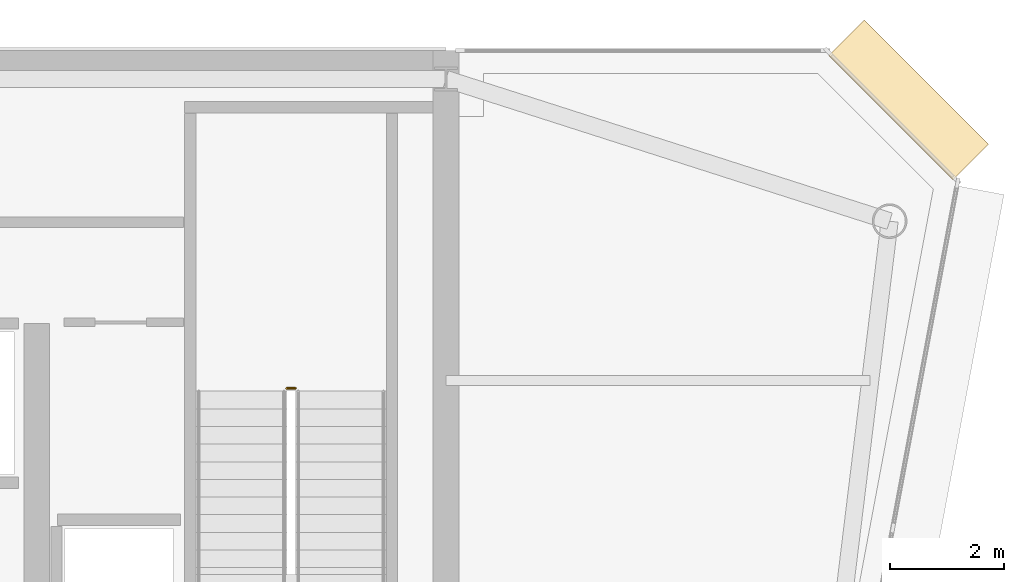
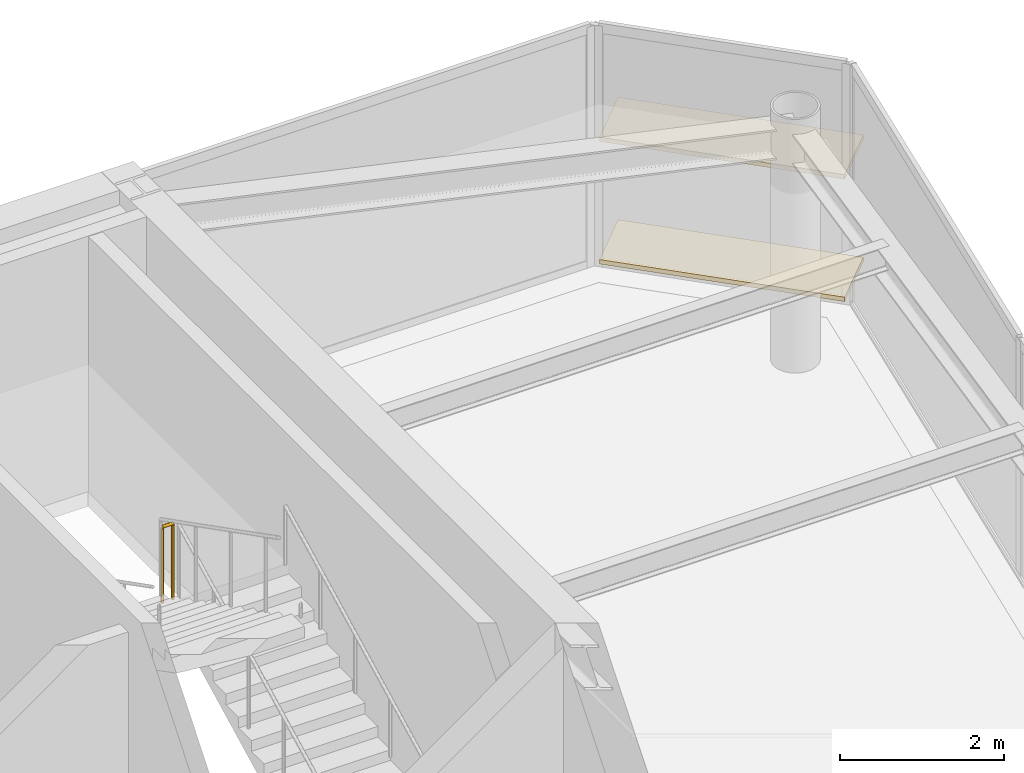
# One storey, part 19 of 19: 2 coverings, 1 railing.
"""IFC4 building model written with IfcOpenShell, lengths in metres."""

from ifc_helpers import new_model, si_unit, direction, frame, origin, origin_2d, place, context, subcontext, project, spatial, rectangle, circle, extrude, source, transform, mapped, material, layer, layer_set, type_object, element, save


model = new_model("IFC4")

# Units and contexts
model_context = context("Model", 3, precision=1e-05, world=origin(), true_north=direction((0.0, 1.0)))
body_context = subcontext(model_context, "Body", "Model", "MODEL_VIEW")
ifc_project = project(units=[si_unit("LENGTHUNIT", "METRE"), si_unit("AREAUNIT", "SQUARE_METRE"), si_unit("VOLUMEUNIT", "CUBIC_METRE"), si_unit("PLANEANGLEUNIT", "RADIAN"), si_unit("MASSUNIT", "GRAM", prefix="KILO")], contexts=[model_context])

# Site, building, storey
site_placement = place(None, origin())
site = spatial("IfcSite", under=ifc_project, at=site_placement, CompositionType="ELEMENT")
building_placement = place(site_placement, origin())
building = spatial("IfcBuilding", under=site, at=building_placement, Name="Vaeldorn Concourse Tower", CompositionType="ELEMENT")
storey_placement = place(building_placement, frame((0.0, 0.0, 287.800048828125)))
storey = spatial("IfcBuildingStorey", under=building, at=storey_placement, Name="L74", CompositionType="ELEMENT", Elevation=287.800048828125)

# Railing
ifc_material = material(Name="Anodised Bronze Aluminium", Category="aluminium")
railing_type = type_object("IfcRailingType", Name="RL-STAIR-GUARD", PredefinedType="GUARDRAIL", material=ifc_material)
railing_placement = place(storey_placement, frame((51.35009765625, 45.06005859375, 1.89990234375)))
element("IfcRailing", 1, at=railing_placement, inside=storey, type_object=railing_type, Name="L74 ST-2 stair guard 2", PredefinedType="GUARDRAIL", context=body_context, shape_type="SweptSolid", body=[
    extrude(circle(Radius=0.02392578125, at=origin_2d()), frame((0.0, 0.0, 1.1259765625), z_axis=(-1.0, 0.0, 0.0), x_axis=(0.0, -1.0, 0.0)), (0.0, 0.0, 1.0), 0.150146484375),
    extrude(circle(Radius=0.02099609375, at=origin_2d()), origin(), (0.0, 0.0, 1.0), 1.101806640625),
    extrude(circle(Radius=0.02099609375, at=origin_2d()), frame((-0.150146484375, 0.0, 0.0)), (0.0, 0.0, 1.0), 1.101806640625),
])

# Coverings
ifc_layer = layer(ifc_material, 0.06494140625)
ifc_layer_set = layer_set([ifc_layer], Name="Anodised Bronze Aluminium")
covering_type = type_object("IfcCoveringType", Name="SD-BRONZE-SUNSHADE", PredefinedType="USERDEFINED", material=ifc_layer_set)
shared_shape = source(origin(), body_context, "Body", "SweptSolid", [
    extrude(rectangle(XDim=3.0927734375, YDim=0.8798828125, at=origin_2d()), origin(), (0.0, 0.0, 1.0), 0.06494140625),
])
for number, where, z_axis, x_axis, name in (
    (2, (62.1328125, 50.1328125, 0.04736328125), (0.0, 0.0, 1.0), (-0.707106781187, 0.707106781187, 0.0), "Horizontal Bronze Sunshade L74-E08.1.1"),
    (3, (62.1328125, 50.1328125, 1.867431640625), (0.0, 0.0, 1.0), (-0.707106781187, 0.707106781187, 0.0), "Horizontal Bronze Sunshade L74-E08.1.2"),
):
    element("IfcCovering", number, at=place(storey_placement, frame(where, z_axis=z_axis, x_axis=x_axis)), inside=storey, type_object=covering_type, Name=name, ObjectType="SUNSHADE", PredefinedType="USERDEFINED", context=body_context, shape_type="MappedRepresentation", body=[
        mapped(shared_shape, transform((0.0, 0.0, 0.0), scale=1.0)),
    ])

save(model, "model.ifc")
